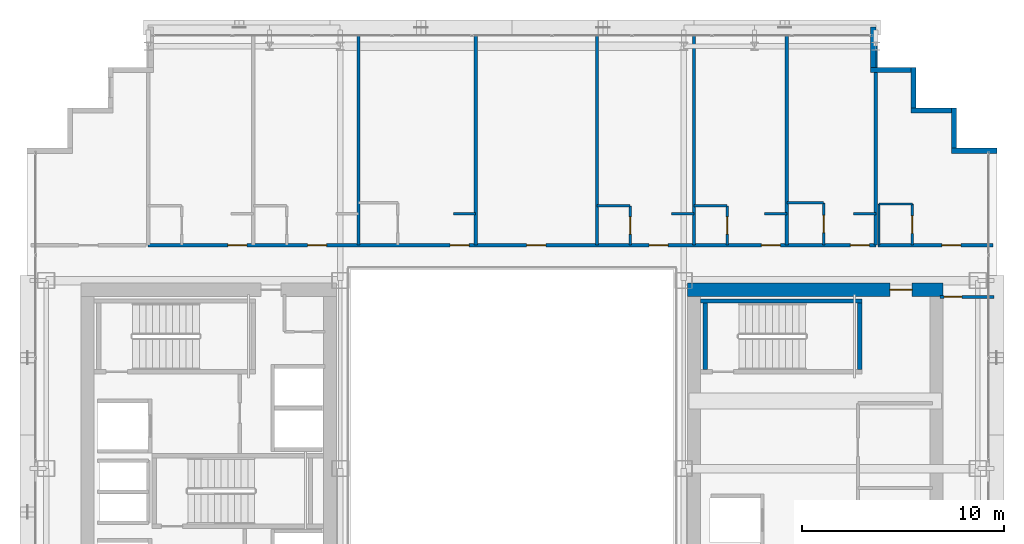
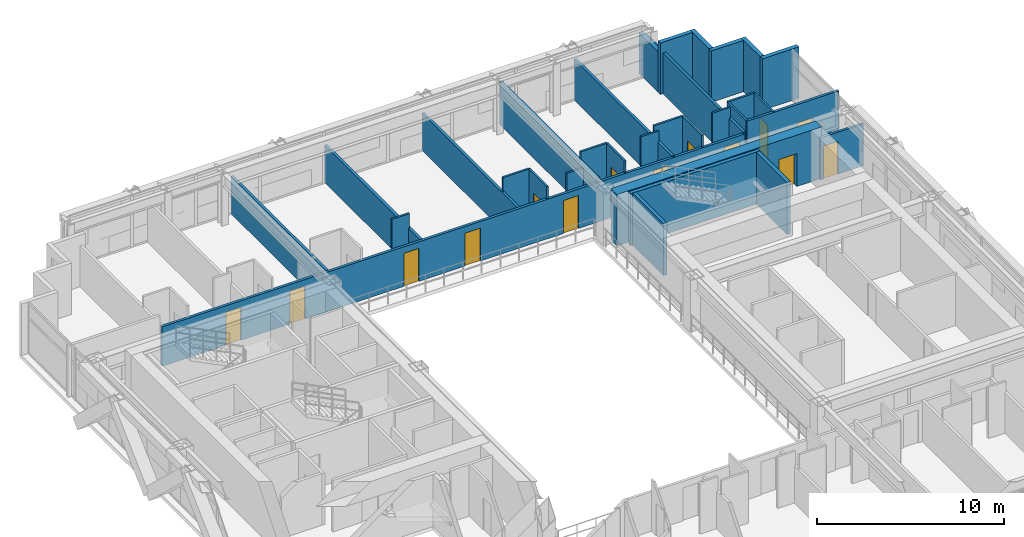
# One storey, part 31 of 36: 32 walls, 14 doors, 14 openings.
"""IFC4 building model written with IfcOpenShell, lengths in metres."""

from ifc_helpers import new_model, si_unit, direction, frame, frame_2d, origin, place, context, subcontext, project, spatial, rectangle, extrude, source, transform, mapped, material, layer, layer_set, type_object, element, fill, save


model = new_model("IFC4")

# Units and contexts
model_context = context("Model", 3, precision=1e-05, world=origin(), true_north=direction((0.0, 1.0)))
body_context = subcontext(model_context, "Body", "Model", "MODEL_VIEW")
ifc_project = project(units=[si_unit("LENGTHUNIT", "METRE"), si_unit("AREAUNIT", "SQUARE_METRE"), si_unit("VOLUMEUNIT", "CUBIC_METRE"), si_unit("PLANEANGLEUNIT", "RADIAN"), si_unit("MASSUNIT", "GRAM", prefix="KILO")], contexts=[model_context])

# Site, building, storey
site_placement = place(None, origin())
site = spatial("IfcSite", under=ifc_project, at=site_placement, CompositionType="ELEMENT")
building_placement = place(site_placement, origin())
building = spatial("IfcBuilding", under=site, at=building_placement, Name="Ocotamira Hotel", CompositionType="ELEMENT")
storey_placement = place(building_placement, frame((0.0, 0.0, 97.199951171875)))
storey = spatial("IfcBuildingStorey", under=building, at=storey_placement, Name="L23", CompositionType="ELEMENT", Elevation=97.199951171875)

# Wall, opening, door
ifc_material_1 = material(Name="Concrete C60/75", Category="concrete")
ifc_layer_1 = layer(ifc_material_1, 0.64990234375)
ifc_layer_set_1 = layer_set([ifc_layer_1], Name="Concrete C60/75")
wall_type_1 = type_object("IfcWallType", Name="WL-CORE-650", PredefinedType="SHEAR", material=ifc_layer_set_1)
wall_1_placement = place(storey_placement, frame((40.675048828125, 37.0, 0.0), z_axis=(0.0, 0.0, 1.0), x_axis=(1.0, 0.0, 0.0)))
wall_1 = element("IfcWall", 1, at=wall_1_placement, inside=storey, type_object=wall_type_1, Name="L23 Shear Core Wall ECORE-N", PredefinedType="SHEAR", context=body_context, shape_type="SweptSolid", body=[
    extrude(rectangle(XDim=12.64990234375, YDim=0.64990234375, at=frame_2d((6.324951171875, 0.0))), origin(), (0.0, 0.0, 1.0), 3.360107421875),
])
opening_1_placement = place(wall_1_placement, frame((10.02490234375, 0.0, 0.0)))
opening_1 = element("IfcOpeningElement", 2, at=opening_1_placement, cuts=wall_1, Name="Opening D-FR1", PredefinedType="OPENING", context=body_context, shape_type="SweptSolid", body=[
    extrude(rectangle(XDim=1.10009765625, YDim=2.14990234375, at=frame_2d((0.550048828125, 1.074951171875))), frame((0.0, 0.3349609375, 0.0), z_axis=(0.0, -1.0, 0.0), x_axis=(1.0, 0.0, 0.0)), (0.0, 0.0, 1.0), 0.669921875),
])
ifc_material_2 = material(Name="Fire-rated acoustic timber-veneer door", Category="wood")
door_type_1 = type_object("IfcDoorType", Name="DR-FIRE-1100", OperationType="NOTDEFINED", PredefinedType="DOOR", material=ifc_material_2)
shared_shape_1 = source(origin(), body_context, "Body", "SweptSolid", [
    extrude(rectangle(XDim=1.10009765625, YDim=2.14990234375, at=frame_2d((0.550048828125, 1.074951171875))), frame((0.0, 0.02490234375, 0.0), z_axis=(0.0, -1.0, 0.0), x_axis=(1.0, 0.0, 0.0)), (0.0, 0.0, 1.0), 0.050048828125),
])
door_1_placement = place(opening_1_placement, origin())
door_1 = element("IfcDoor", 3, at=door_1_placement, inside=storey, type_object=door_type_1, Name="L23 Door ID-L23-ELOB-N-D [ID-L23-ELOB-N-D]", OperationType="SINGLE_SWING_LEFT", OverallHeight=2.14990234375, OverallWidth=1.10009765625, PredefinedType="DOOR", context=body_context, shape_type="MappedRepresentation", body=[
    mapped(shared_shape_1, transform((0.0, 0.0, 0.0), scale=1.0)),
])
fill(opening_1, door_1)

# Walls
ifc_material_3 = material(Name="Precast concrete C45/55", Category="concrete")
ifc_layer_2 = layer(ifc_material_3, 0.25)
ifc_layer_set_2 = layer_set([ifc_layer_2], Name="Precast concrete C45/55")
wall_type_2 = type_object("IfcWallType", Name="WL-EXT-SER-250", PredefinedType="SOLIDWALL", material=ifc_layer_set_2)
wall_2_placement = place(storey_placement, frame((56.0, 43.875, 0.0), z_axis=(0.0, 0.0, 1.0), x_axis=(-1.0, 0.0, 0.0)))
element("IfcWall", 4, at=wall_2_placement, inside=storey, type_object=wall_type_2, Name="L23 Serrated Corner Wall 07", PredefinedType="SOLIDWALL", context=body_context, shape_type="SweptSolid", body=[
    extrude(rectangle(XDim=2.25, YDim=0.25, at=frame_2d((1.125, 0.0))), origin(), (0.0, 0.0, 1.0), 3.360107421875),
])
for number, where, z_axis, x_axis, name in (
    (5, (53.875, 44.0, 0.0), (0.0, 0.0, 1.0), (0.0, 1.0, 0.0), "L23 Serrated Corner Wall 08"),
    (6, (53.75, 45.875, 0.0), (0.0, 0.0, 1.0), (-1.0, 0.0, 0.0), "L23 Serrated Corner Wall 09"),
    (7, (51.875, 46.0, 0.0), (0.0, 0.0, 1.0), (0.0, 1.0, 0.0), "L23 Serrated Corner Wall 10"),
    (8, (51.75, 47.875, 0.0), (0.0, 0.0, 1.0), (-1.0, 0.0, 0.0), "L23 Serrated Corner Wall 11"),
):
    element("IfcWall", number, at=place(storey_placement, frame(where, z_axis=z_axis, x_axis=x_axis)), inside=storey, type_object=wall_type_2, Name=name, PredefinedType="SOLIDWALL", context=body_context, shape_type="SweptSolid", body=[
        extrude(rectangle(XDim=2.0, YDim=0.25, at=frame_2d((1.0, 0.0))), origin(), (0.0, 0.0, 1.0), 3.360107421875),
    ])
wall_3_placement = place(storey_placement, frame((49.875, 48.0, 0.0), z_axis=(0.0, 0.0, 1.0), x_axis=(0.0, 1.0, 0.0)))
element("IfcWall", 9, at=wall_3_placement, inside=storey, type_object=wall_type_2, Name="L23 Serrated Corner Wall 12", PredefinedType="SOLIDWALL", context=body_context, shape_type="SweptSolid", body=[
    extrude(rectangle(XDim=2.0, YDim=0.25, at=frame_2d((1.0, 0.0))), origin(), (0.0, 0.0, 1.0), 2.6669921875),
])

# Wall, opening, door
ifc_material_4 = material(Name="Acoustic double-layer fire gypsum board partition", Category="gypsum")
ifc_layer_3 = layer(ifc_material_4, 0.159912109375)
ifc_layer_set_3 = layer_set([ifc_layer_3], Name="Acoustic double-layer fire gypsum board partition")
wall_type_3 = type_object("IfcWallType", Name="WL-FIRE-160", PredefinedType="PARTITIONING", material=ifc_layer_set_3)
wall_4_placement = place(storey_placement, frame((50.1201171875, 39.199951171875, 0.0), z_axis=(0.0, 0.0, 1.0), x_axis=(1.0, 0.0, 0.0)))
wall_4 = element("IfcWall", 10, at=wall_4_placement, inside=storey, type_object=wall_type_3, Name="L23 Interior Wall PW-L23-Z2A-CNE-CW", PredefinedType="PARTITIONING", context=body_context, shape_type="SweptSolid", body=[
    extrude(rectangle(XDim=5.679931640625, YDim=0.159912109375, at=frame_2d((2.83984375, 0.0))), origin(), (0.0, 0.0, 1.0), 3.360107421875),
])
opening_2_placement = place(wall_4_placement, frame((3.14990234375, 0.0, 0.0)))
opening_2 = element("IfcOpeningElement", 11, at=opening_2_placement, cuts=wall_4, Name="Opening D-GR1", PredefinedType="OPENING", context=body_context, shape_type="SweptSolid", body=[
    extrude(rectangle(XDim=0.93994140625, YDim=2.14990234375, at=frame_2d((0.469970703125, 1.074951171875))), frame((0.0, 0.08984375, 0.0), z_axis=(0.0, -1.0, 0.0), x_axis=(1.0, 0.0, 0.0)), (0.0, 0.0, 1.0), 0.179931640625),
])
ifc_material_5 = material(Name="Solid-core walnut suite entrance fire door", Category="wood")
door_type_2 = type_object("IfcDoorType", Name="DR-GUEST-940", OperationType="NOTDEFINED", PredefinedType="DOOR", material=ifc_material_5)
shared_shape_2 = source(origin(), body_context, "Body", "SweptSolid", [
    extrude(rectangle(XDim=0.93994140625, YDim=2.14990234375, at=frame_2d((0.469970703125, 1.074951171875))), frame((0.0, 0.02490234375, 0.0), z_axis=(0.0, -1.0, 0.0), x_axis=(1.0, 0.0, 0.0)), (0.0, 0.0, 1.0), 0.050048828125),
])
door_2_placement = place(opening_2_placement, origin())
door_2 = element("IfcDoor", 12, at=door_2_placement, inside=storey, type_object=door_type_2, Name="L23 Door ID-L23-Z2A-CNE-CD [ID-L23-Z2A-CNE-CD]", OperationType="SINGLE_SWING_RIGHT", OverallHeight=2.14990234375, OverallWidth=0.93994140625, PredefinedType="DOOR", context=body_context, shape_type="MappedRepresentation", body=[
    mapped(shared_shape_2, transform((0.0, 0.0, 0.0), scale=1.0)),
])
fill(opening_2, door_2)

# Wall, openings, doors
wall_5_placement = place(storey_placement, frame((14.0, 39.199951171875, 0.0), z_axis=(0.0, 0.0, 1.0), x_axis=(1.0, 0.0, 0.0)))
wall_5 = element("IfcWall", 13, at=wall_5_placement, inside=storey, type_object=wall_type_3, Name="L23 Interior Wall PW-L23-Z2AN-CORRW", PredefinedType="PARTITIONING", context=body_context, shape_type="SweptSolid", body=[
    extrude(rectangle(XDim=36.0, YDim=0.159912109375, at=frame_2d((18.0, 0.0))), origin(), (0.0, 0.0, 1.0), 2.5810546875),
])
opening_3_placement = place(wall_5_placement, frame((3.93994140625, 0.0, 0.0)))
opening_3 = element("IfcOpeningElement", 14, at=opening_3_placement, cuts=wall_5, Name="Opening D-GR1", PredefinedType="OPENING", context=body_context, shape_type="SweptSolid", body=[
    extrude(rectangle(XDim=0.93994140625, YDim=2.14990234375, at=frame_2d((0.469970703125, 1.074951171875))), frame((0.0, 0.08984375, 0.0), z_axis=(0.0, -1.0, 0.0), x_axis=(1.0, 0.0, 0.0)), (0.0, 0.0, 1.0), 0.179931640625),
])
opening_4_placement = place(wall_5_placement, frame((7.889892578125, 0.0, 0.0)))
opening_4 = element("IfcOpeningElement", 15, at=opening_4_placement, cuts=wall_5, Name="Opening D-GR1", PredefinedType="OPENING", context=body_context, shape_type="SweptSolid", body=[
    extrude(rectangle(XDim=0.93994140625, YDim=2.14990234375, at=frame_2d((0.469970703125, 1.074951171875))), frame((0.0, 0.08984375, 0.0), z_axis=(0.0, -1.0, 0.0), x_axis=(1.0, 0.0, 0.0)), (0.0, 0.0, 1.0), 0.179931640625),
])
opening_5_placement = place(wall_5_placement, frame((14.93994140625, 0.0, 0.0)))
opening_5 = element("IfcOpeningElement", 16, at=opening_5_placement, cuts=wall_5, Name="Opening D-GR1", PredefinedType="OPENING", context=body_context, shape_type="SweptSolid", body=[
    extrude(rectangle(XDim=0.93994140625, YDim=2.14990234375, at=frame_2d((0.469970703125, 1.074951171875))), frame((0.0, 0.08984375, 0.0), z_axis=(0.0, -1.0, 0.0), x_axis=(1.0, 0.0, 0.0)), (0.0, 0.0, 1.0), 0.179931640625),
])
opening_6_placement = place(wall_5_placement, frame((18.719970703125, 0.0, 0.0)))
opening_6 = element("IfcOpeningElement", 17, at=opening_6_placement, cuts=wall_5, Name="Opening D-SV4", PredefinedType="OPENING", context=body_context, shape_type="SweptSolid", body=[
    extrude(rectangle(XDim=0.9599609375, YDim=2.14990234375, at=frame_2d((0.47998046875, 1.074951171875))), frame((0.0, 0.08984375, 0.0), z_axis=(0.0, -1.0, 0.0), x_axis=(1.0, 0.0, 0.0)), (0.0, 0.0, 1.0), 0.179931640625),
])
opening_7_placement = place(wall_5_placement, frame((24.7900390625, 0.0, 0.0)))
opening_7 = element("IfcOpeningElement", 18, at=opening_7_placement, cuts=wall_5, Name="Opening D-GR1", PredefinedType="OPENING", context=body_context, shape_type="SweptSolid", body=[
    extrude(rectangle(XDim=0.93994140625, YDim=2.14990234375, at=frame_2d((0.469970703125, 1.074951171875))), frame((0.0, 0.08984375, 0.0), z_axis=(0.0, -1.0, 0.0), x_axis=(1.0, 0.0, 0.0)), (0.0, 0.0, 1.0), 0.179931640625),
])
opening_8_placement = place(wall_5_placement, frame((30.340087890625, 0.0, 0.0)))
opening_8 = element("IfcOpeningElement", 19, at=opening_8_placement, cuts=wall_5, Name="Opening D-GR1", PredefinedType="OPENING", context=body_context, shape_type="SweptSolid", body=[
    extrude(rectangle(XDim=0.93994140625, YDim=2.14990234375, at=frame_2d((0.469970703125, 1.074951171875))), frame((0.0, 0.08984375, 0.0), z_axis=(0.0, -1.0, 0.0), x_axis=(1.0, 0.0, 0.0)), (0.0, 0.0, 1.0), 0.179931640625),
])
opening_9_placement = place(wall_5_placement, frame((34.739990234375, 0.0, 0.0)))
opening_9 = element("IfcOpeningElement", 20, at=opening_9_placement, cuts=wall_5, Name="Opening D-GR1", PredefinedType="OPENING", context=body_context, shape_type="SweptSolid", body=[
    extrude(rectangle(XDim=0.93994140625, YDim=2.14990234375, at=frame_2d((0.469970703125, 1.074951171875))), frame((0.0, 0.08984375, 0.0), z_axis=(0.0, -1.0, 0.0), x_axis=(1.0, 0.0, 0.0)), (0.0, 0.0, 1.0), 0.179931640625),
])
ifc_material_6 = material(Name="Fire-rated accessible walnut salon door", Category="wood")
door_type_3 = type_object("IfcDoorType", Name="DR-SERV-960", OperationType="NOTDEFINED", PredefinedType="DOOR", material=ifc_material_6)
shared_shape_3 = source(origin(), body_context, "Body", "SweptSolid", [
    extrude(rectangle(XDim=0.9599609375, YDim=2.14990234375, at=frame_2d((0.47998046875, 1.074951171875))), frame((0.0, 0.02490234375, 0.0), z_axis=(0.0, -1.0, 0.0), x_axis=(1.0, 0.0, 0.0)), (0.0, 0.0, 1.0), 0.050048828125),
])
door_3_placement = place(opening_6_placement, origin())
door_3 = element("IfcDoor", 21, at=door_3_placement, inside=storey, type_object=door_type_3, Name="L23 Door ID-L23-Z2AN-AMD4 [ID-L23-Z2AN-AMD4]", OperationType="SINGLE_SWING_RIGHT", OverallHeight=2.14990234375, OverallWidth=0.9599609375, PredefinedType="DOOR", context=body_context, shape_type="MappedRepresentation", body=[
    mapped(shared_shape_3, transform((0.0, 0.0, 0.0), scale=1.0)),
])
fill(opening_6, door_3)
door_4_placement = place(opening_3_placement, origin())
door_4 = element("IfcDoor", 22, at=door_4_placement, inside=storey, type_object=door_type_2, Name="L23 Door ID-L23-Z2AN-RMD1 [ID-L23-Z2AN-RMD1]", OperationType="SINGLE_SWING_LEFT", OverallHeight=2.14990234375, OverallWidth=0.93994140625, PredefinedType="DOOR", context=body_context, shape_type="MappedRepresentation", body=[
    mapped(shared_shape_2, transform((0.0, 0.0, 0.0), scale=1.0)),
])
fill(opening_3, door_4)
door_5_placement = place(opening_4_placement, origin())
door_5 = element("IfcDoor", 23, at=door_5_placement, inside=storey, type_object=door_type_2, Name="L23 Door ID-L23-Z2AN-RMD2 [ID-L23-Z2AN-RMD2]", OperationType="SINGLE_SWING_RIGHT", OverallHeight=2.14990234375, OverallWidth=0.93994140625, PredefinedType="DOOR", context=body_context, shape_type="MappedRepresentation", body=[
    mapped(shared_shape_2, transform((0.0, 0.0, 0.0), scale=1.0)),
])
fill(opening_4, door_5)
door_6_placement = place(opening_5_placement, origin())
door_6 = element("IfcDoor", 24, at=door_6_placement, inside=storey, type_object=door_type_2, Name="L23 Door ID-L23-Z2AN-RMD3 [ID-L23-Z2AN-RMD3]", OperationType="SINGLE_SWING_LEFT", OverallHeight=2.14990234375, OverallWidth=0.93994140625, PredefinedType="DOOR", context=body_context, shape_type="MappedRepresentation", body=[
    mapped(shared_shape_2, transform((0.0, 0.0, 0.0), scale=1.0)),
])
fill(opening_5, door_6)
door_7_placement = place(opening_7_placement, origin())
door_7 = element("IfcDoor", 25, at=door_7_placement, inside=storey, type_object=door_type_2, Name="L23 Door ID-L23-Z2AN-RMD5 [ID-L23-Z2AN-RMD5]", OperationType="SINGLE_SWING_LEFT", OverallHeight=2.14990234375, OverallWidth=0.93994140625, PredefinedType="DOOR", context=body_context, shape_type="MappedRepresentation", body=[
    mapped(shared_shape_2, transform((0.0, 0.0, 0.0), scale=1.0)),
])
fill(opening_7, door_7)
door_8_placement = place(opening_8_placement, origin())
door_8 = element("IfcDoor", 26, at=door_8_placement, inside=storey, type_object=door_type_2, Name="L23 Door ID-L23-Z2AN-RMD6 [ID-L23-Z2AN-RMD6]", OperationType="SINGLE_SWING_RIGHT", OverallHeight=2.14990234375, OverallWidth=0.93994140625, PredefinedType="DOOR", context=body_context, shape_type="MappedRepresentation", body=[
    mapped(shared_shape_2, transform((0.0, 0.0, 0.0), scale=1.0)),
])
fill(opening_8, door_8)
door_9_placement = place(opening_9_placement, origin())
door_9 = element("IfcDoor", 27, at=door_9_placement, inside=storey, type_object=door_type_2, Name="L23 Door ID-L23-Z2AN-RMD7 [ID-L23-Z2AN-RMD7]", OperationType="SINGLE_SWING_LEFT", OverallHeight=2.14990234375, OverallWidth=0.93994140625, PredefinedType="DOOR", context=body_context, shape_type="MappedRepresentation", body=[
    mapped(shared_shape_2, transform((0.0, 0.0, 0.0), scale=1.0)),
])
fill(opening_9, door_9)

# Wall, opening, door
ifc_material_7 = material(Name="Moisture-resistant en-suite tile and gypsum partition", Category="gypsum")
ifc_layer_4 = layer(ifc_material_7, 0.1201171875)
ifc_layer_set_4 = layer_set([ifc_layer_4], Name="Moisture-resistant en-suite tile and gypsum partition")
wall_type_4 = type_object("IfcWallType", Name="WL-PART-120", PredefinedType="PARTITIONING", material=ifc_layer_set_4)
wall_6_placement = place(storey_placement, frame((51.81005859375, 39.199951171875, 0.0), z_axis=(0.0, 0.0, 1.0), x_axis=(0.0, 1.0, 0.0)))
wall_6 = element("IfcWall", 28, at=wall_6_placement, inside=storey, type_object=wall_type_4, Name="L23 Interior Wall PW-L23-Z2A-CNE-BE", PredefinedType="PARTITIONING", context=body_context, shape_type="SweptSolid", body=[
    extrude(rectangle(XDim=2.0400390625, YDim=0.1201171875, at=frame_2d((1.02001953125, 0.0))), origin(), (0.0, 0.0, 1.0), 3.360107421875),
])
opening_10_placement = place(wall_6_placement, frame((0.590087890625, 0.0, 0.0)))
opening_10 = element("IfcOpeningElement", 29, at=opening_10_placement, cuts=wall_6, Name="Opening D-BA1", PredefinedType="OPENING", context=body_context, shape_type="SweptSolid", body=[
    extrude(rectangle(XDim=0.860107421875, YDim=2.10009765625, at=frame_2d((0.43017578125, 1.050048828125))), frame((0.0, 0.070068359375, 0.0), z_axis=(0.0, -1.0, 0.0), x_axis=(1.0, 0.0, 0.0)), (0.0, 0.0, 1.0), 0.14013671875),
])
ifc_material_8 = material(Name="Moisture-sealed en-suite timber door", Category="wood")
door_type_4 = type_object("IfcDoorType", Name="DR-BATH-860", OperationType="NOTDEFINED", PredefinedType="DOOR", material=ifc_material_8)
shared_shape_4 = source(origin(), body_context, "Body", "SweptSolid", [
    extrude(rectangle(XDim=0.860107421875, YDim=2.10009765625, at=frame_2d((0.43017578125, 1.050048828125))), frame((0.0, 0.02490234375, 0.0), z_axis=(0.0, -1.0, 0.0), x_axis=(1.0, 0.0, 0.0)), (0.0, 0.0, 1.0), 0.050048828125),
])
door_10_placement = place(opening_10_placement, origin())
door_10 = element("IfcDoor", 30, at=door_10_placement, inside=storey, type_object=door_type_4, Name="L23 Door ID-L23-Z2A-CNE-BD [ID-L23-Z2A-CNE-BD]", OperationType="SINGLE_SWING_LEFT", OverallHeight=2.10009765625, OverallWidth=0.860107421875, PredefinedType="DOOR", context=body_context, shape_type="MappedRepresentation", body=[
    mapped(shared_shape_4, transform((0.0, 0.0, 0.0), scale=1.0)),
])
fill(opening_10, door_10)

# Walls
wall_7_placement = place(storey_placement, frame((50.159912109375, 39.199951171875, 0.0), z_axis=(0.0, 0.0, 1.0), x_axis=(0.0, 1.0, 0.0)))
element("IfcWall", 31, at=wall_7_placement, inside=storey, type_object=wall_type_4, Name="L23 Interior Wall PW-L23-Z2A-CNE-BW", PredefinedType="PARTITIONING", context=body_context, shape_type="SweptSolid", body=[
    extrude(rectangle(XDim=2.0400390625, YDim=0.1201171875, at=frame_2d((1.02001953125, 0.0))), origin(), (0.0, 0.0, 1.0), 3.360107421875),
])
wall_8_placement = place(storey_placement, frame((50.159912109375, 41.239990234375, 0.0), z_axis=(0.0, 0.0, 1.0), x_axis=(1.0, 0.0, 0.0)))
element("IfcWall", 32, at=wall_8_placement, inside=storey, type_object=wall_type_4, Name="L23 Interior Wall PW-L23-Z2A-CNE-BH", PredefinedType="PARTITIONING", context=body_context, shape_type="SweptSolid", body=[
    extrude(rectangle(XDim=1.650146484375, YDim=0.1201171875, at=frame_2d((0.8251953125, 0.0))), origin(), (0.0, 0.0, 1.0), 3.360107421875),
])
wall_9_placement = place(storey_placement, frame((29.10009765625, 40.75, 0.0), z_axis=(0.0, 0.0, 1.0), x_axis=(1.0, 0.0, 0.0)))
element("IfcWall", 33, at=wall_9_placement, inside=storey, type_object=wall_type_4, Name="L23 Interior Wall PW-L23-Z2AN-DRN3", PredefinedType="PARTITIONING", context=body_context, shape_type="SweptSolid", body=[
    extrude(rectangle(XDim=1.099853515625, YDim=0.1201171875, at=frame_2d((0.5498046875, 0.0))), origin(), (0.0, 0.0, 1.0), 3.360107421875),
])

# Wall, opening, door
wall_10_placement = place(storey_placement, frame((37.85009765625, 39.199951171875, 0.0), z_axis=(0.0, 0.0, 1.0), x_axis=(0.0, 1.0, 0.0)))
wall_10 = element("IfcWall", 34, at=wall_10_placement, inside=storey, type_object=wall_type_4, Name="L23 Interior Wall PW-L23-Z2AN-BAE5", PredefinedType="PARTITIONING", context=body_context, shape_type="SweptSolid", body=[
    extrude(rectangle(XDim=1.949951171875, YDim=0.1201171875, at=frame_2d((0.97509765625, 0.0))), origin(), (0.0, 0.0, 1.0), 3.360107421875),
])
opening_11_placement = place(wall_10_placement, frame((0.544921875, 0.0, 0.0)))
opening_11 = element("IfcOpeningElement", 35, at=opening_11_placement, cuts=wall_10, Name="Opening D-BA1", PredefinedType="OPENING", context=body_context, shape_type="SweptSolid", body=[
    extrude(rectangle(XDim=0.860107421875, YDim=2.10009765625, at=frame_2d((0.43017578125, 1.050048828125))), frame((0.0, 0.070068359375, 0.0), z_axis=(0.0, -1.0, 0.0), x_axis=(1.0, 0.0, 0.0)), (0.0, 0.0, 1.0), 0.14013671875),
])
door_11_placement = place(opening_11_placement, origin())
door_11 = element("IfcDoor", 36, at=door_11_placement, inside=storey, type_object=door_type_4, Name="L23 Door ID-L23-Z2AN-BAD5 [ID-L23-Z2AN-BAD5]", OperationType="SINGLE_SWING_RIGHT", OverallHeight=2.10009765625, OverallWidth=0.860107421875, PredefinedType="DOOR", context=body_context, shape_type="MappedRepresentation", body=[
    mapped(shared_shape_4, transform((0.0, 0.0, 0.0), scale=1.0)),
])
fill(opening_11, door_11)

# Walls
wall_11_placement = place(storey_placement, frame((36.199951171875, 41.14990234375, 0.0), z_axis=(0.0, 0.0, 1.0), x_axis=(1.0, 0.0, 0.0)))
element("IfcWall", 37, at=wall_11_placement, inside=storey, type_object=wall_type_4, Name="L23 Interior Wall PW-L23-Z2AN-BAN5", PredefinedType="PARTITIONING", context=body_context, shape_type="SweptSolid", body=[
    extrude(rectangle(XDim=1.650146484375, YDim=0.1201171875, at=frame_2d((0.8251953125, 0.0))), origin(), (0.0, 0.0, 1.0), 3.360107421875),
])
wall_12_placement = place(storey_placement, frame((39.89990234375, 40.75, 0.0), z_axis=(0.0, 0.0, 1.0), x_axis=(1.0, 0.0, 0.0)))
element("IfcWall", 38, at=wall_12_placement, inside=storey, type_object=wall_type_4, Name="L23 Interior Wall PW-L23-Z2AN-DRN5", PredefinedType="PARTITIONING", context=body_context, shape_type="SweptSolid", body=[
    extrude(rectangle(XDim=1.10009765625, YDim=0.1201171875, at=frame_2d((0.550048828125, 0.0))), origin(), (0.0, 0.0, 1.0), 2.5810546875),
])

# Wall, opening, door
wall_13_placement = place(storey_placement, frame((42.64990234375, 39.199951171875, 0.0), z_axis=(0.0, 0.0, 1.0), x_axis=(0.0, 1.0, 0.0)))
wall_13 = element("IfcWall", 39, at=wall_13_placement, inside=storey, type_object=wall_type_4, Name="L23 Interior Wall PW-L23-Z2AN-BAE6", PredefinedType="PARTITIONING", context=body_context, shape_type="SweptSolid", body=[
    extrude(rectangle(XDim=1.949951171875, YDim=0.1201171875, at=frame_2d((0.97509765625, 0.0))), origin(), (0.0, 0.0, 1.0), 3.360107421875),
])
opening_12_placement = place(wall_13_placement, frame((0.544921875, 0.0, 0.0)))
opening_12 = element("IfcOpeningElement", 40, at=opening_12_placement, cuts=wall_13, Name="Opening D-BA1", PredefinedType="OPENING", context=body_context, shape_type="SweptSolid", body=[
    extrude(rectangle(XDim=0.860107421875, YDim=2.10009765625, at=frame_2d((0.43017578125, 1.050048828125))), frame((0.0, 0.070068359375, 0.0), z_axis=(0.0, -1.0, 0.0), x_axis=(1.0, 0.0, 0.0)), (0.0, 0.0, 1.0), 0.14013671875),
])
door_12_placement = place(opening_12_placement, origin())
door_12 = element("IfcDoor", 41, at=door_12_placement, inside=storey, type_object=door_type_4, Name="L23 Door ID-L23-Z2AN-BAD6 [ID-L23-Z2AN-BAD6]", OperationType="SINGLE_SWING_LEFT", OverallHeight=2.10009765625, OverallWidth=0.860107421875, PredefinedType="DOOR", context=body_context, shape_type="MappedRepresentation", body=[
    mapped(shared_shape_4, transform((0.0, 0.0, 0.0), scale=1.0)),
])
fill(opening_12, door_12)

# Walls
wall_14_placement = place(storey_placement, frame((41.0, 41.14990234375, 0.0), z_axis=(0.0, 0.0, 1.0), x_axis=(1.0, 0.0, 0.0)))
element("IfcWall", 42, at=wall_14_placement, inside=storey, type_object=wall_type_4, Name="L23 Interior Wall PW-L23-Z2AN-BAN6", PredefinedType="PARTITIONING", context=body_context, shape_type="SweptSolid", body=[
    extrude(rectangle(XDim=1.64990234375, YDim=0.1201171875, at=frame_2d((0.824951171875, 0.0))), origin(), (0.0, 0.0, 1.0), 3.360107421875),
])
wall_15_placement = place(storey_placement, frame((44.5, 40.75, 0.0), z_axis=(0.0, 0.0, 1.0), x_axis=(1.0, 0.0, 0.0)))
element("IfcWall", 43, at=wall_15_placement, inside=storey, type_object=wall_type_4, Name="L23 Interior Wall PW-L23-Z2AN-DRN6", PredefinedType="PARTITIONING", context=body_context, shape_type="SweptSolid", body=[
    extrude(rectangle(XDim=1.10009765625, YDim=0.1201171875, at=frame_2d((0.550048828125, 0.0))), origin(), (0.0, 0.0, 1.0), 3.360107421875),
])

# Wall, opening, door
wall_16_placement = place(storey_placement, frame((47.419921875, 39.199951171875, 0.0), z_axis=(0.0, 0.0, 1.0), x_axis=(0.0, 1.0, 0.0)))
wall_16 = element("IfcWall", 44, at=wall_16_placement, inside=storey, type_object=wall_type_4, Name="L23 Interior Wall PW-L23-Z2AN-BAE7", PredefinedType="PARTITIONING", context=body_context, shape_type="SweptSolid", body=[
    extrude(rectangle(XDim=2.10009765625, YDim=0.1201171875, at=frame_2d((1.050048828125, 0.0))), origin(), (0.0, 0.0, 1.0), 3.360107421875),
])
opening_13_placement = place(wall_16_placement, frame((0.6201171875, 0.0, 0.0)))
opening_13 = element("IfcOpeningElement", 45, at=opening_13_placement, cuts=wall_16, Name="Opening D-BA1", PredefinedType="OPENING", context=body_context, shape_type="SweptSolid", body=[
    extrude(rectangle(XDim=0.860107421875, YDim=2.10009765625, at=frame_2d((0.43017578125, 1.050048828125))), frame((0.0, 0.070068359375, 0.0), z_axis=(0.0, -1.0, 0.0), x_axis=(1.0, 0.0, 0.0)), (0.0, 0.0, 1.0), 0.14013671875),
])
door_13_placement = place(opening_13_placement, origin())
door_13 = element("IfcDoor", 46, at=door_13_placement, inside=storey, type_object=door_type_4, Name="L23 Door ID-L23-Z2AN-BAD7 [ID-L23-Z2AN-BAD7]", OperationType="SINGLE_SWING_RIGHT", OverallHeight=2.10009765625, OverallWidth=0.860107421875, PredefinedType="DOOR", context=body_context, shape_type="MappedRepresentation", body=[
    mapped(shared_shape_4, transform((0.0, 0.0, 0.0), scale=1.0)),
])
fill(opening_13, door_13)

# Walls
wall_17_placement = place(storey_placement, frame((45.60009765625, 41.300048828125, 0.0), z_axis=(0.0, 0.0, 1.0), x_axis=(1.0, 0.0, 0.0)))
element("IfcWall", 47, at=wall_17_placement, inside=storey, type_object=wall_type_4, Name="L23 Interior Wall PW-L23-Z2AN-BAN7", PredefinedType="PARTITIONING", context=body_context, shape_type="SweptSolid", body=[
    extrude(rectangle(XDim=1.81982421875, YDim=0.1201171875, at=frame_2d((0.909912109375, 0.0))), origin(), (0.0, 0.0, 1.0), 3.360107421875),
])
wall_18_placement = place(storey_placement, frame((48.89990234375, 40.75, 0.0), z_axis=(0.0, 0.0, 1.0), x_axis=(1.0, 0.0, 0.0)))
element("IfcWall", 48, at=wall_18_placement, inside=storey, type_object=wall_type_4, Name="L23 Interior Wall PW-L23-Z2AN-DRN7", PredefinedType="PARTITIONING", context=body_context, shape_type="SweptSolid", body=[
    extrude(rectangle(XDim=1.10009765625, YDim=0.1201171875, at=frame_2d((0.550048828125, 0.0))), origin(), (0.0, 0.0, 1.0), 3.360107421875),
])

# Wall, opening, door
ifc_material_9 = material(Name="Acoustic hospitality gypsum board partition", Category="gypsum")
ifc_layer_5 = layer(ifc_material_9, 0.14990234375)
ifc_layer_set_5 = layer_set([ifc_layer_5], Name="Acoustic hospitality gypsum board partition")
wall_type_5 = type_object("IfcWallType", Name="WL-PART-150", PredefinedType="PARTITIONING", material=ifc_layer_set_5)
wall_19_placement = place(storey_placement, frame((53.179931640625, 36.639892578125, 0.0), z_axis=(0.0, 0.0, 1.0), x_axis=(1.0, 0.0, 0.0)))
wall_19 = element("IfcWall", 49, at=wall_19_placement, inside=storey, type_object=wall_type_5, Name="L23 Interior Wall PW-L23-Z2A-EF-WN", PredefinedType="PARTITIONING", context=body_context, shape_type="SweptSolid", body=[
    extrude(rectangle(XDim=2.66015625, YDim=0.14990234375, at=frame_2d((1.330078125, 0.0))), origin(), (0.0, 0.0, 1.0), 2.7431640625),
])
opening_14_placement = place(wall_19_placement, frame((0.199951171875, 0.0, 0.0)))
opening_14 = element("IfcOpeningElement", 50, at=opening_14_placement, cuts=wall_19, Name="Opening D-SV2", PredefinedType="OPENING", context=body_context, shape_type="SweptSolid", body=[
    extrude(rectangle(XDim=0.8798828125, YDim=2.14990234375, at=frame_2d((0.43994140625, 1.074951171875))), frame((0.0, 0.0849609375, 0.0), z_axis=(0.0, -1.0, 0.0), x_axis=(1.0, 0.0, 0.0)), (0.0, 0.0, 1.0), 0.169921875),
])
ifc_material_10 = material(Name="Fire-rated painted steel service door", Category="steel")
door_type_5 = type_object("IfcDoorType", Name="DR-SERV-880", OperationType="NOTDEFINED", PredefinedType="DOOR", material=ifc_material_10)
shared_shape_5 = source(origin(), body_context, "Body", "SweptSolid", [
    extrude(rectangle(XDim=0.8798828125, YDim=2.14990234375, at=frame_2d((0.43994140625, 1.074951171875))), frame((0.0, 0.02490234375, 0.0), z_axis=(0.0, -1.0, 0.0), x_axis=(1.0, 0.0, 0.0)), (0.0, 0.0, 1.0), 0.050048828125),
])
door_14_placement = place(opening_14_placement, origin())
door_14 = element("IfcDoor", 51, at=door_14_placement, inside=storey, type_object=door_type_5, Name="L23 Door ID-L23-Z2A-EF-DN [ID-L23-Z2A-EF-DN]", OperationType="SINGLE_SWING_LEFT", OverallHeight=2.14990234375, OverallWidth=0.8798828125, PredefinedType="DOOR", context=body_context, shape_type="MappedRepresentation", body=[
    mapped(shared_shape_5, transform((0.0, 0.0, 0.0), scale=1.0)),
])
fill(opening_14, door_14)

# Walls
ifc_material_11 = material(Name="Acoustic double-stud hospitality gypsum partition", Category="gypsum")
ifc_layer_6 = layer(ifc_material_11, 0.159912109375)
ifc_layer_set_6 = layer_set([ifc_layer_6], Name="Acoustic double-stud hospitality gypsum partition")
wall_type_6 = type_object("IfcWallType", Name="WL-PART-160", PredefinedType="PARTITIONING", material=ifc_layer_set_6)
wall_20_placement = place(storey_placement, frame((50.0, 39.199951171875, 0.0), z_axis=(0.0, 0.0, 1.0), x_axis=(0.0, 1.0, 0.0)))
element("IfcWall", 52, at=wall_20_placement, inside=storey, type_object=wall_type_6, Name="L23 Interior Wall PW-L23-Z2AN-PWEND", PredefinedType="PARTITIONING", context=body_context, shape_type="SweptSolid", body=[
    extrude(rectangle(XDim=10.43994140625, YDim=0.159912109375, at=frame_2d((5.219970703125, 0.0))), origin(), (0.0, 0.0, 1.0), 2.6669921875),
])
for number, where, z_axis, x_axis, name in (
    (53, (24.39990234375, 39.199951171875, 0.0), (0.0, 0.0, 1.0), (0.0, 1.0, 0.0), "L23 Interior Wall PW-L23-Z2AN-PW2"),
    (54, (36.199951171875, 39.199951171875, 0.0), (0.0, 0.0, 1.0), (0.0, 1.0, 0.0), "L23 Interior Wall PW-L23-Z2AN-PW4"),
):
    element("IfcWall", number, at=place(storey_placement, frame(where, z_axis=z_axis, x_axis=x_axis)), inside=storey, type_object=wall_type_6, Name=name, PredefinedType="PARTITIONING", context=body_context, shape_type="SweptSolid", body=[
        extrude(rectangle(XDim=10.43994140625, YDim=0.159912109375, at=frame_2d((5.219970703125, 0.0))), origin(), (0.0, 0.0, 1.0), 2.43310546875),
    ])
wall_21_placement = place(storey_placement, frame((41.0, 39.199951171875, 0.0), z_axis=(0.0, 0.0, 1.0), x_axis=(0.0, 1.0, 0.0)))
element("IfcWall", 55, at=wall_21_placement, inside=storey, type_object=wall_type_6, Name="L23 Interior Wall PW-L23-Z2AN-PW5", PredefinedType="PARTITIONING", context=body_context, shape_type="SweptSolid", body=[
    extrude(rectangle(XDim=10.43994140625, YDim=0.159912109375, at=frame_2d((5.219970703125, 0.0))), origin(), (0.0, 0.0, 1.0), 2.822998046875),
])
wall_22_placement = place(storey_placement, frame((45.60009765625, 39.199951171875, 0.0), z_axis=(0.0, 0.0, 1.0), x_axis=(0.0, 1.0, 0.0)))
element("IfcWall", 56, at=wall_22_placement, inside=storey, type_object=wall_type_6, Name="L23 Interior Wall PW-L23-Z2AN-PW6", PredefinedType="PARTITIONING", context=body_context, shape_type="SweptSolid", body=[
    extrude(rectangle(XDim=10.43994140625, YDim=0.159912109375, at=frame_2d((5.219970703125, 0.0))), origin(), (0.0, 0.0, 1.0), 2.6669921875),
])
ifc_material_12 = material(Name="Double-stud suite party gypsum partition", Category="gypsum")
ifc_layer_7 = layer(ifc_material_12, 0.175048828125)
ifc_layer_set_7 = layer_set([ifc_layer_7], Name="Double-stud suite party gypsum partition")
wall_type_7 = type_object("IfcWallType", Name="WL-PART-175", PredefinedType="PARTITIONING", material=ifc_layer_set_7)
wall_23_placement = place(storey_placement, frame((30.199951171875, 39.199951171875, 0.0), z_axis=(0.0, 0.0, 1.0), x_axis=(0.0, 1.0, 0.0)))
element("IfcWall", 57, at=wall_23_placement, inside=storey, type_object=wall_type_7, Name="L23 Interior Wall PW-L23-Z2AN-PW3", PredefinedType="PARTITIONING", context=body_context, shape_type="SweptSolid", body=[
    extrude(rectangle(XDim=10.43994140625, YDim=0.175048828125, at=frame_2d((5.219970703125, 0.0))), origin(), (0.0, 0.0, 1.0), 2.43310546875),
])
ifc_material_13 = material(Name="Concrete C50/60", Category="concrete")
ifc_layer_8 = layer(ifc_material_13, 0.219970703125)
ifc_layer_set_8 = layer_set([ifc_layer_8], Name="Concrete C50/60")
wall_type_8 = type_object("IfcWallType", Name="WL-STAIR-220", PredefinedType="SHEAR", material=ifc_layer_set_8)
wall_24_placement = place(storey_placement, frame((41.324951171875, 36.43994140625, 0.0), z_axis=(0.0, 0.0, 1.0), x_axis=(1.0, 0.0, 0.0)))
element("IfcWall", 58, at=wall_24_placement, inside=storey, type_object=wall_type_8, Name="L23 Stair Shaft Structural Wall ST-4-N", PredefinedType="SHEAR", context=body_context, shape_type="SweptSolid", body=[
    extrude(rectangle(XDim=7.985107421875, YDim=0.219970703125, at=frame_2d((3.99267578125, 0.0))), origin(), (0.0, 0.0, 1.0), 3.400146484375),
])
for number, where, z_axis, x_axis, name in (
    (59, (41.56005859375, 33.050048828125, 0.0), (0.0, 0.0, 1.0), (0.0, 1.0, 0.0), "L23 Stair Shaft Structural Wall ST-4-W"),
    (60, (49.199951171875, 33.050048828125, 0.0), (0.0, 0.0, 1.0), (0.0, 1.0, 0.0), "L23 Stair Shaft Structural Wall ST-4-E"),
):
    element("IfcWall", number, at=place(storey_placement, frame(where, z_axis=z_axis, x_axis=x_axis)), inside=storey, type_object=wall_type_8, Name=name, PredefinedType="SHEAR", context=body_context, shape_type="SweptSolid", body=[
        extrude(rectangle(XDim=3.280029296875, YDim=0.219970703125, at=frame_2d((1.64013671875, 0.0))), origin(), (0.0, 0.0, 1.0), 3.400146484375),
    ])

save(model, "model.ifc")
